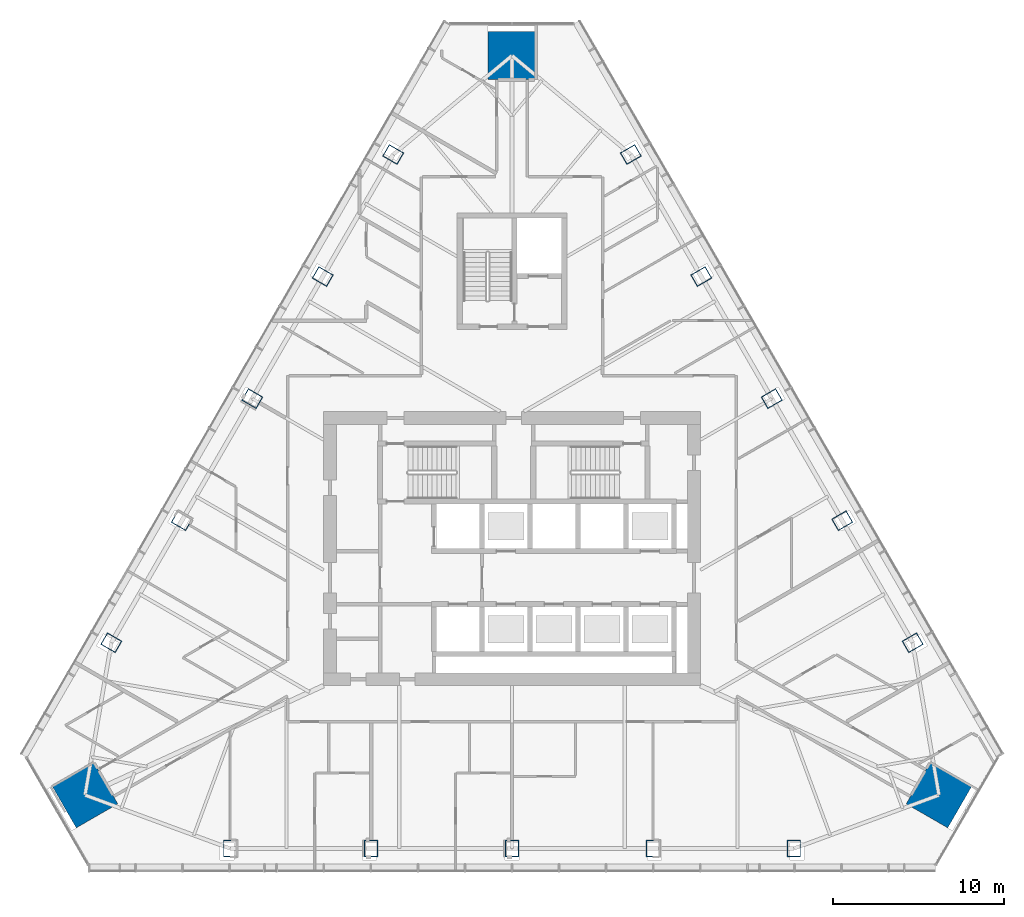
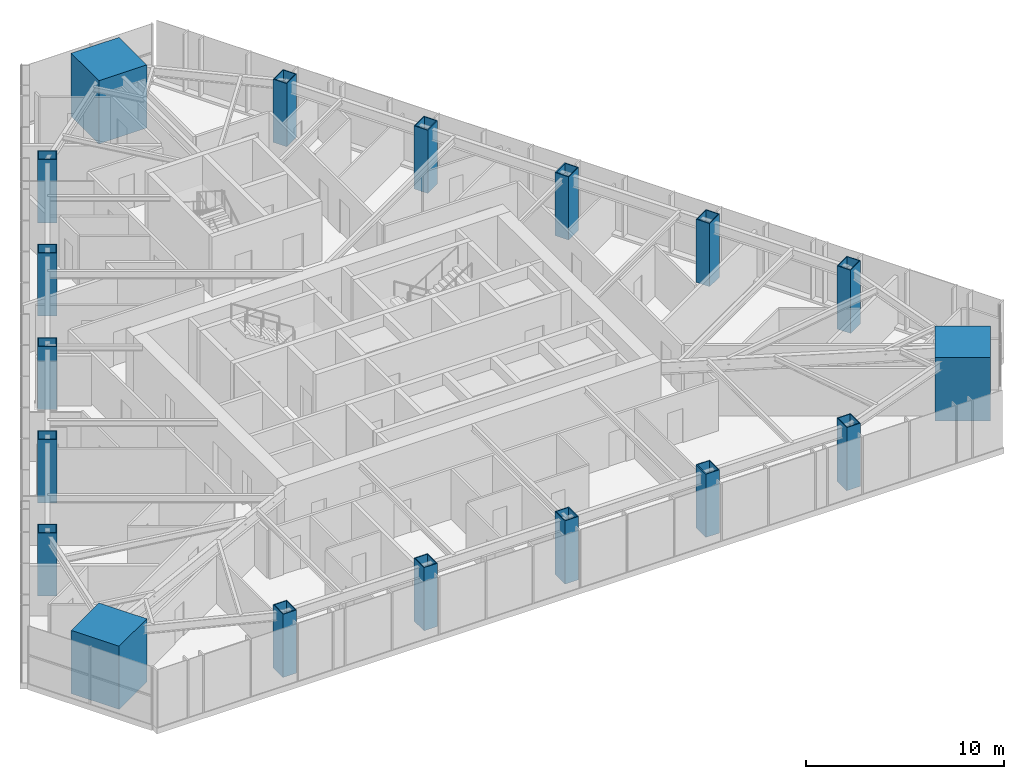
# One storey, part 1 of 16: 18 columns.
"""IFC4 building model written with IfcOpenShell, lengths in metres."""

from ifc_helpers import new_model, si_unit, direction, frame, origin, origin_2d, place, context, subcontext, project, spatial, rectangle, hollow_rectangle, extrude, material, material_profile, profile_set, type_object, element, save


model = new_model("IFC4")

# Units and contexts
model_context = context("Model", 3, precision=1e-05, world=origin(), true_north=direction((0.0, 1.0)))
body_context = subcontext(model_context, "Body", "Model", "MODEL_VIEW")
ifc_project = project(units=[si_unit("LENGTHUNIT", "METRE"), si_unit("AREAUNIT", "SQUARE_METRE"), si_unit("VOLUMEUNIT", "CUBIC_METRE"), si_unit("PLANEANGLEUNIT", "RADIAN"), si_unit("MASSUNIT", "GRAM", prefix="KILO")], contexts=[model_context])

# Site, building, storey
site_placement = place(None, origin())
site = spatial("IfcSite", under=ifc_project, at=site_placement, CompositionType="ELEMENT")
building_placement = place(site_placement, origin())
building = spatial("IfcBuilding", under=site, at=building_placement, Name="Firuza Gate Tower and Library", CompositionType="ELEMENT")
storey_placement = place(building_placement, frame((0.0, 0.0, 229.89990234375)))
storey = spatial("IfcBuildingStorey", under=building, at=storey_placement, Name="L54", CompositionType="ELEMENT", Elevation=229.89990234375)

# Columns
ifc_material_1 = material(Name="Steel S355", Category="steel")
ifc_material_profile_1 = material_profile(ifc_material_1, hollow_rectangle(XDim=0.800048828125, YDim=1.0, WallThickness=0.050048828125, at=origin_2d()))
ifc_profile_set_1 = profile_set([ifc_material_profile_1], Name="Steel S355")
column_type_1 = type_object("IfcColumnType", Name="BU1000x800x50 Composite box column", PredefinedType="COLUMN", material=ifc_profile_set_1)
for number, where, z_axis, x_axis, name in (
    (1, (58.548828125, 57.49609375, -0.000244140625), (0.0, 0.0, 1.0), (1.0, 0.0, 0.0), "Column S1 L54"),
    (2, (66.7744140625, 57.49609375, -0.000244140625), (0.0, 0.0, 1.0), (1.0, 0.0, 0.0), "Column S2 L54"),
    (3, (75.0, 57.49609375, -0.000244140625), (0.0, 0.0, 1.0), (1.0, 0.0, 0.0), "Column S3 L54"),
    (4, (83.2255859375, 57.49609375, -0.000244140625), (0.0, 0.0, 1.0), (1.0, 0.0, 0.0), "Column S4 L54"),
    (5, (91.451171875, 57.49609375, -0.000244140625), (0.0, 0.0, 1.0), (1.0, 0.0, 0.0), "Column S5 L54"),
    (6, (98.384521484375, 69.5048828125, -0.000244140625), (0.0, 0.0, 1.0), (-0.5, 0.866025403784, 0.0), "Column E1 L54"),
    (7, (94.271728515625, 76.62841796875, -0.000244140625), (0.0, 0.0, 1.0), (-0.5, 0.866025403784, 0.0), "Column E2 L54"),
    (8, (90.158935546875, 83.751953125, -0.000244140625), (0.0, 0.0, 1.0), (-0.5, 0.866025403784, 0.0), "Column E3 L54"),
    (9, (86.046142578125, 90.87548828125, -0.000244140625), (0.0, 0.0, 1.0), (-0.5, 0.866025403784, 0.0), "Column E4 L54"),
    (10, (81.933349609375, 97.9990234375, -0.000244140625), (0.0, 0.0, 1.0), (-0.5, 0.866025403784, 0.0), "Column E5 L54"),
    (11, (68.066650390625, 97.9990234375, -0.000244140625), (0.0, 0.0, 1.0), (-0.5, -0.866025403784, 0.0), "Column W1 L54"),
    (12, (63.953857421875, 90.87548828125, -0.000244140625), (0.0, 0.0, 1.0), (-0.5, -0.866025403784, 0.0), "Column W2 L54"),
    (13, (59.841064453125, 83.751953125, -0.000244140625), (0.0, 0.0, 1.0), (-0.5, -0.866025403784, 0.0), "Column W3 L54"),
    (14, (55.728271484375, 76.62841796875, -0.000244140625), (0.0, 0.0, 1.0), (-0.5, -0.866025403784, 0.0), "Column W4 L54"),
    (15, (51.615478515625, 69.5048828125, -0.000244140625), (0.0, 0.0, 1.0), (-0.5, -0.866025403784, 0.0), "Column W5 L54"),
):
    element("IfcColumn", number, at=place(storey_placement, frame(where, z_axis=z_axis, x_axis=x_axis)), inside=storey, type_object=column_type_1, Name=name, PredefinedType="COLUMN", context=body_context, shape_type="SweptSolid", body=[
        extrude(hollow_rectangle(XDim=0.800048828125, YDim=1.0, WallThickness=0.050048828125, at=origin_2d()), origin(), (0.0, 0.0, 1.0), 3.900390625),
    ])
ifc_material_2 = material(Name="Concrete C80/95", Category="concrete")
ifc_material_profile_2 = material_profile(ifc_material_2, rectangle(XDim=2.800048828125, YDim=2.800048828125, at=origin_2d()))
ifc_profile_set_2 = profile_set([ifc_material_profile_2], Name="Concrete C80/95")
column_type_2 = type_object("IfcColumnType", Name="Mega column 2800x2800 C80/95", PredefinedType="COLUMN", material=ifc_profile_set_2)
for number, where, z_axis, x_axis, name in (
    (16, (99.917724609375, 60.61376953125, 0.0), (0.0, 0.0, 1.0), (0.5, 0.866025403784, 0.0), "Mega column SE L54"),
    (17, (75.0, 103.772705078125, 0.0), (0.0, 0.0, 1.0), (-1.0, 0.0, 0.0), "Mega column N L54"),
    (18, (50.082275390625, 60.61376953125, 0.0), (0.0, 0.0, 1.0), (0.5, -0.866025403784, 0.0), "Mega column SW L54"),
):
    element("IfcColumn", number, at=place(storey_placement, frame(where, z_axis=z_axis, x_axis=x_axis)), inside=storey, type_object=column_type_2, Name=name, PredefinedType="COLUMN", context=body_context, shape_type="SweptSolid", body=[
        extrude(rectangle(XDim=2.800048828125, YDim=2.800048828125, at=origin_2d()), origin(), (0.0, 0.0, 1.0), 3.900146484375),
    ])

save(model, "model.ifc")
